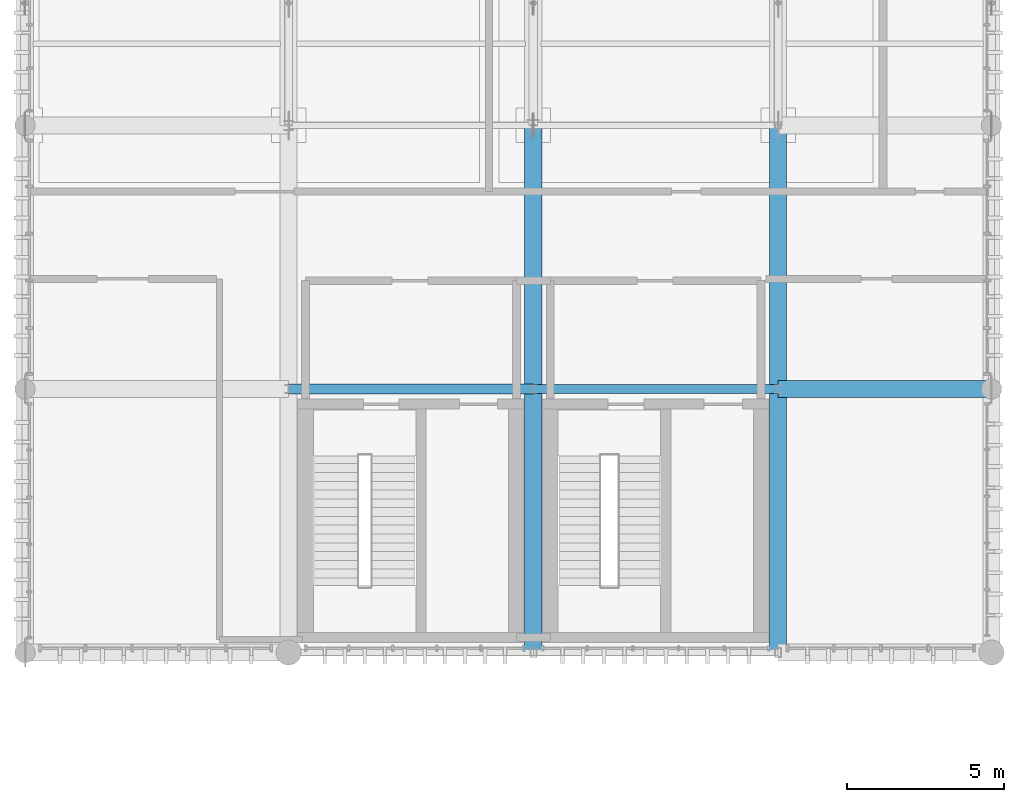
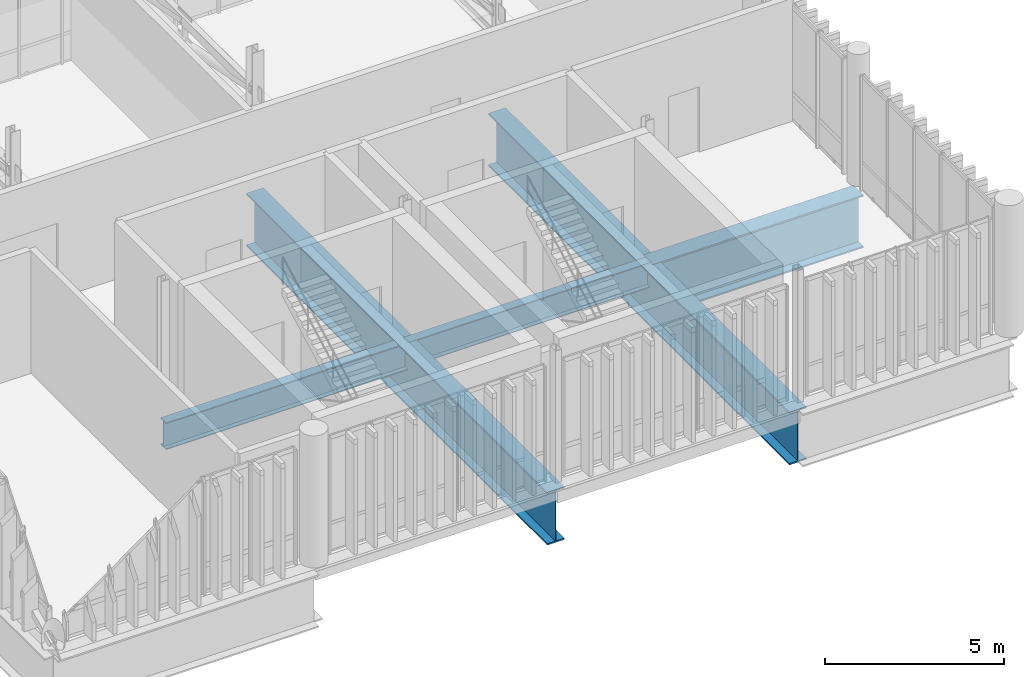
# One storey, part 30 of 53: 5 beams.
"""IFC4 building model written with IfcOpenShell, lengths in metres."""

from ifc_helpers import new_model, si_unit, direction, frame, origin_with_axes, origin_2d_with_axis, place, context, subcontext, project, spatial, i_section, extrude, material, material_profile, profile_set, type_object, element, save


model = new_model("IFC4")

# Units and contexts
model_context = context("Model", 3, precision=1e-05, world=origin_with_axes(), true_north=direction((0.0, 1.0)))
body_context = subcontext(model_context, "Body", "Model", "MODEL_VIEW")
ifc_project = project(units=[si_unit("LENGTHUNIT", "METRE"), si_unit("AREAUNIT", "SQUARE_METRE"), si_unit("VOLUMEUNIT", "CUBIC_METRE"), si_unit("PLANEANGLEUNIT", "RADIAN"), si_unit("MASSUNIT", "GRAM", prefix="KILO"), si_unit("THERMODYNAMICTEMPERATUREUNIT", "KELVIN")], contexts=[model_context])

# Site, building, storey
site_placement = place(None, origin_with_axes())
site = spatial("IfcSite", under=ifc_project, at=site_placement, CompositionType="ELEMENT")
building_placement = place(site_placement, origin_with_axes())
building = spatial("IfcBuilding", under=site, at=building_placement, Name="Montbau Bow Law Courts", CompositionType="ELEMENT")
storey_placement = place(building_placement, frame((0.0, 0.0, 39.0), z_axis=(0.0, 0.0, 1.0), x_axis=(1.0, 0.0, 0.0)))
storey = spatial("IfcBuildingStorey", under=building, at=storey_placement, Name="L08", CompositionType="ELEMENT", Elevation=39.0)

# Beams
ifc_material_1 = material(Name="Steel CSA G40.21 Grade 350W (350 MPa)", Category="steel")
ifc_material_profile_1 = material_profile(ifc_material_1, i_section(OverallWidth=0.306, OverallDepth=0.919, WebThickness=0.0173, FlangeThickness=0.0279, at=origin_2d_with_axis()), Name="W920X253", Category="Main", Priority=0)
ifc_profile_set_1 = profile_set([ifc_material_profile_1], Name="Steel CSA G40.21 Grade 350W (350 MPa)")
beam_type_1 = type_object("IfcBeamType", Name="B-FLR-01", PredefinedType="BEAM", material=ifc_profile_set_1)
beam_1_placement = place(None, frame((147.0, 94.8, 38.2), z_axis=(1.0, 0.0, 0.0), x_axis=(0.0, 1.0, 0.0)))
element("IfcBeam", 1, at=beam_1_placement, inside=storey, type_object=beam_type_1, Name="BM-L08-S1380:bm2_1383", PredefinedType="BEAM", context=body_context, shape_type="SweptSolid", body=[
    extrude(i_section(OverallWidth=0.306, OverallDepth=0.919, WebThickness=0.0173, FlangeThickness=0.0279, at=origin_2d_with_axis()), origin_with_axes(), (0.0, 0.0, 1.0), 7.8),
])
ifc_material_profile_2 = material_profile(ifc_material_1, i_section(OverallWidth=0.293, OverallDepth=0.846, WebThickness=0.0154, FlangeThickness=0.0244, at=origin_2d_with_axis()), Name="W840X210", Category="Main", Priority=0)
ifc_profile_set_2 = profile_set([ifc_material_profile_2], Name="Steel CSA G40.21 Grade 350W (350 MPa)")
beam_type_2 = type_object("IfcBeamType", Name="B-FLR-02", PredefinedType="BEAM", material=ifc_profile_set_2)
beam_2_placement = place(None, frame((154.8, 94.8, 38.237), z_axis=(1.0, 0.0, 0.0), x_axis=(0.0, 1.0, 0.0)))
element("IfcBeam", 2, at=beam_2_placement, inside=storey, type_object=beam_type_2, Name="BM-L08-S1381:bm2_1384", PredefinedType="BEAM", context=body_context, shape_type="SweptSolid", body=[
    extrude(i_section(OverallWidth=0.293, OverallDepth=0.846, WebThickness=0.0154, FlangeThickness=0.0244, at=origin_2d_with_axis()), origin_with_axes(), (0.0, 0.0, 1.0), 7.8),
])
ifc_material_2 = material(Name="Steel CSA G40.21 Grade 350WT (350 MPa)", Category="steel")
ifc_material_profile_3 = material_profile(ifc_material_2, i_section(OverallWidth=0.55, OverallDepth=1.8, WebThickness=0.022, FlangeThickness=0.05, at=origin_2d_with_axis()), Name="WWF1800X550", Category="Main", Priority=0)
ifc_profile_set_3 = profile_set([ifc_material_profile_3], Name="Steel CSA G40.21 Grade 350WT (350 MPa)")
beam_type_3 = type_object("IfcBeamType", Name="B-TRG-01", PredefinedType="USERDEFINED", material=ifc_profile_set_3)
for number, where, z_axis, x_axis, name in (
    (3, (154.8, 86.4, 37.76), (0.0, 1.0, 0.0), (-1.0, 0.0, 0.0), "TRG-L08-S0100:bm2_0103"),
    (4, (162.6, 86.4, 37.76), (0.0, 1.0, 0.0), (-1.0, 0.0, 0.0), "TRG-L08-S0102:bm2_0105"),
):
    element("IfcBeam", number, at=place(None, frame(where, z_axis=z_axis, x_axis=x_axis)), inside=storey, type_object=beam_type_3, Name=name, ObjectType="GIRDER", PredefinedType="USERDEFINED", context=body_context, shape_type="SweptSolid", body=[
        extrude(i_section(OverallWidth=0.55, OverallDepth=1.8, WebThickness=0.022, FlangeThickness=0.05, at=origin_2d_with_axis()), origin_with_axes(), (0.0, 0.0, 1.0), 16.8),
    ])
beam_3_placement = place(None, frame((162.6, 94.8, 37.76), z_axis=(1.0, 0.0, 0.0), x_axis=(0.0, 1.0, 0.0)))
element("IfcBeam", 5, at=beam_3_placement, inside=storey, type_object=beam_type_3, Name="TRG-L08-S0113:bm2_0116", ObjectType="GIRDER", PredefinedType="USERDEFINED", context=body_context, shape_type="SweptSolid", body=[
    extrude(i_section(OverallWidth=0.55, OverallDepth=1.8, WebThickness=0.022, FlangeThickness=0.05, at=origin_2d_with_axis()), origin_with_axes(), (0.0, 0.0, 1.0), 6.8),
])

save(model, "model.ifc")
